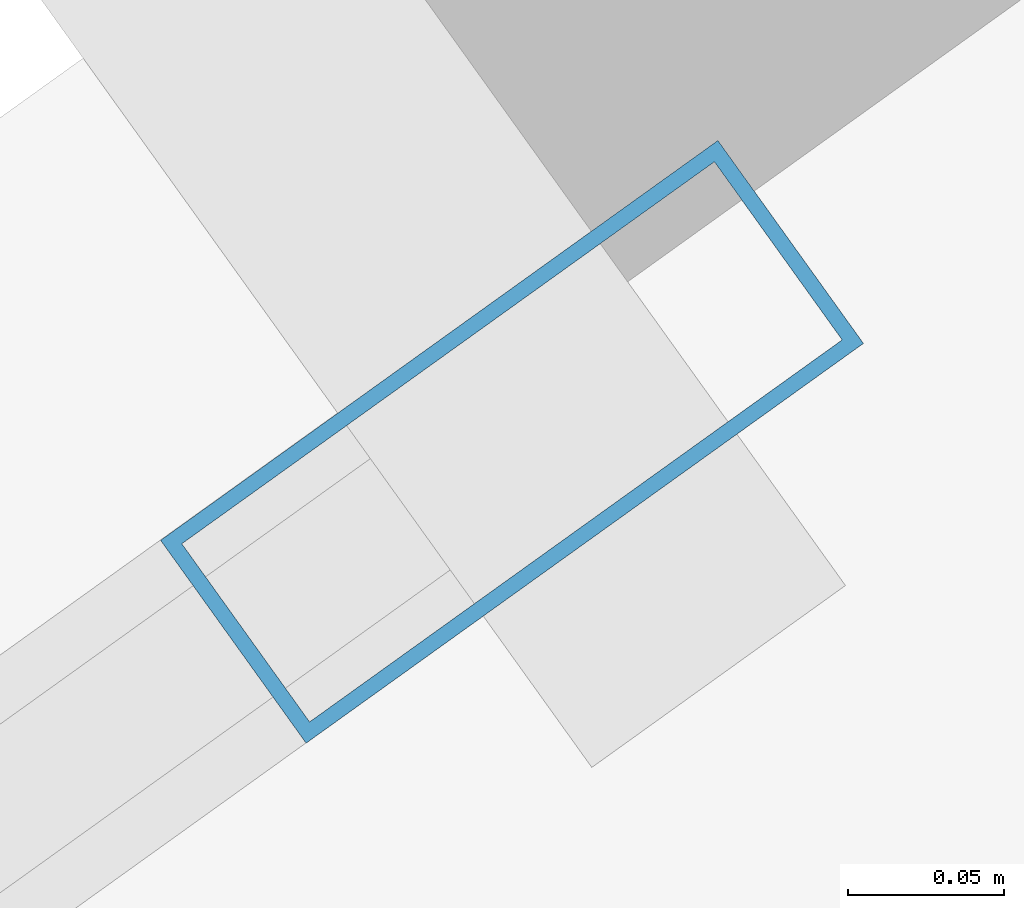
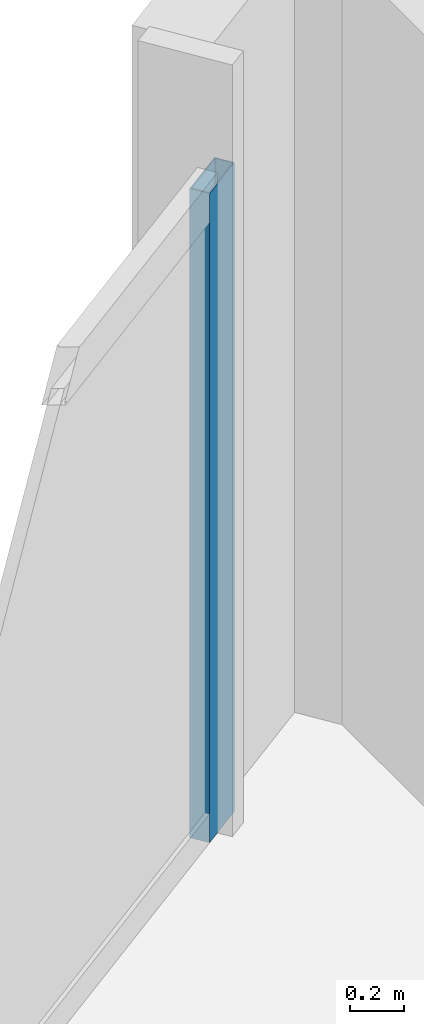
# One storey, part 23 of 33: 1 member, 1 element without a shape of its own.
"""IFC4 building model written with IfcOpenShell, lengths in metres."""

from ifc_helpers import new_model, si_unit, direction, frame, origin, origin_2d, place, context, subcontext, project, spatial, hollow_rectangle, extrude, material, material_profile, profile_set, type_object, element, aggregate, save


model = new_model("IFC4")

# Units and contexts
model_context = context("Model", 3, precision=1e-05, world=origin(), true_north=direction((0.0, 1.0)))
body_context = subcontext(model_context, "Body", "Model", "MODEL_VIEW")
ifc_project = project(units=[si_unit("LENGTHUNIT", "METRE"), si_unit("AREAUNIT", "SQUARE_METRE"), si_unit("VOLUMEUNIT", "CUBIC_METRE"), si_unit("PLANEANGLEUNIT", "RADIAN"), si_unit("MASSUNIT", "GRAM", prefix="KILO")], contexts=[model_context])

# Site, building, storey
site_placement = place(None, origin())
site = spatial("IfcSite", under=ifc_project, at=site_placement, CompositionType="ELEMENT")
building_placement = place(site_placement, origin())
building = spatial("IfcBuilding", under=site, at=building_placement, Name="Haldenkirk Collegiate Tower", CompositionType="ELEMENT")
storey_placement = place(building_placement, frame((0.0, 0.0, 148.199951171875)))
storey = spatial("IfcBuildingStorey", under=building, at=storey_placement, Name="L36", CompositionType="ELEMENT", Elevation=148.199951171875)

# Curtain wall, member
ifc_material = material(Name="Anodised architectural bronze aluminium", Category="aluminium")
curtain_wall_type = type_object("IfcCurtainWallType", Name="CW-SYS1-CONVEX-LOW", PredefinedType="USERDEFINED", material=ifc_material)
curtain_wall_placement = place(storey_placement, origin())
curtain_wall = element("IfcCurtainWall", 1, at=curtain_wall_placement, inside=storey, type_object=curtain_wall_type, Name="L36 Lower tower convex bronze-framed unitised curtain wall", ObjectType="UNITISED CURTAIN WALL", PredefinedType="USERDEFINED")
ifc_material_profile = material_profile(ifc_material, hollow_rectangle(XDim=0.080078125, YDim=0.219970703125, WallThickness=0.0048828125, at=origin_2d()), Name="CW-MUL-1A")
ifc_profile_set = profile_set([ifc_material_profile], Name="Anodised architectural bronze aluminium")
member_type = type_object("IfcMemberType", Name="CW-MUL-1A", PredefinedType="MULLION", material=ifc_profile_set)
member_placement = place(storey_placement, frame((38.69677734375, 57.00146484375, 0.0), z_axis=(0.0, 0.0, 1.0), x_axis=(-0.582830736817, 0.81259358367, 0.0)))
member = element("IfcMember", 2, at=member_placement, type_object=member_type, Name="CW-1A mullion 5", PredefinedType="MULLION", context=body_context, shape_type="SweptSolid", body=[
    extrude(hollow_rectangle(XDim=0.080078125, YDim=0.219970703125, WallThickness=0.0048828125, at=origin_2d()), origin(), (0.0, 0.0, 1.0), 2.9111328125),
])
aggregate(curtain_wall, [member])

save(model, "model.ifc")
